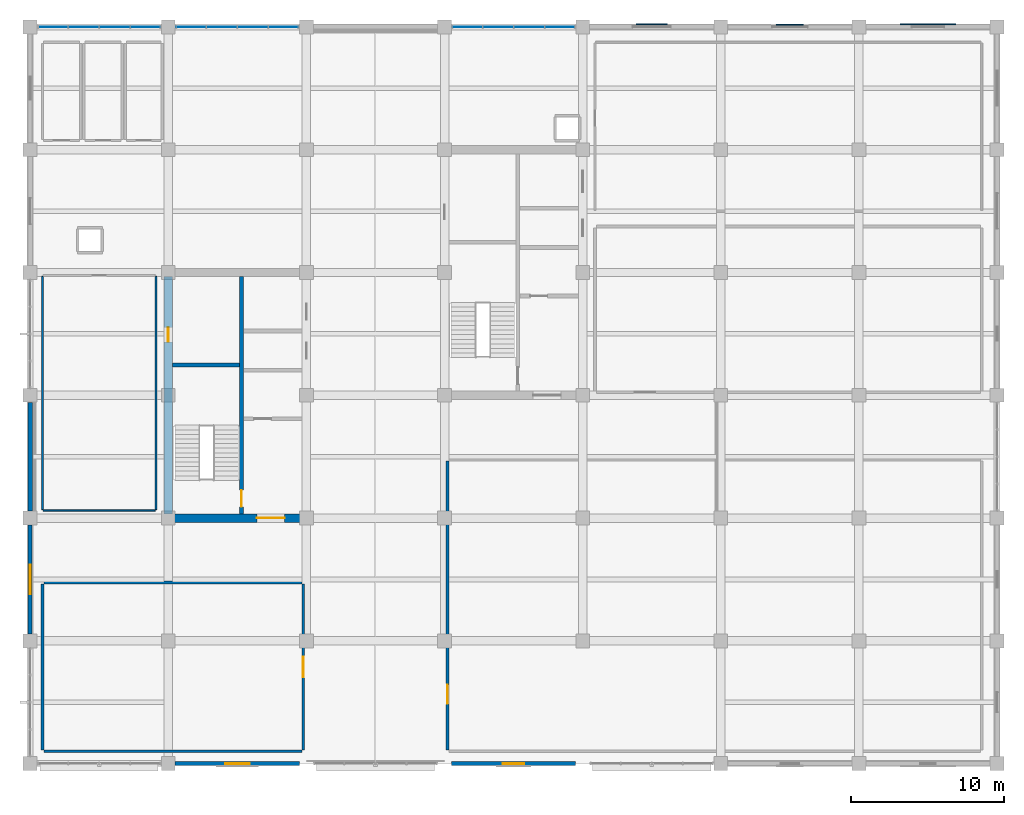
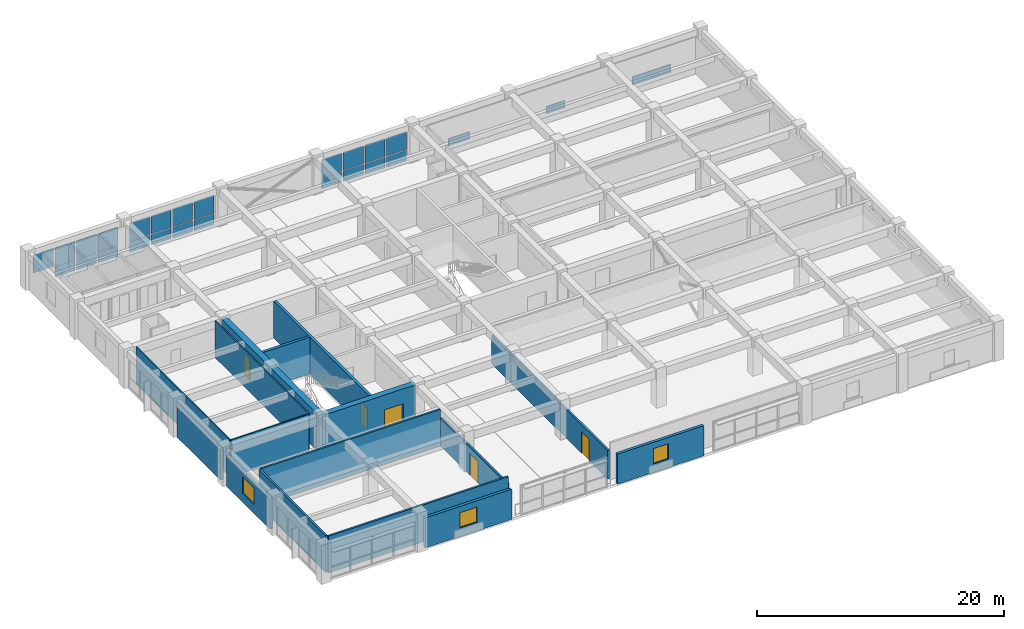
# One storey, part 12 of 16: 26 plates, 16 walls, 5 doors, 3 windows, 8 openings, 3 elements without a shape of their own.
"""IFC4 building model written with IfcOpenShell, lengths in metres."""

from ifc_helpers import new_model, si_unit, direction, frame, frame_2d, origin, place, context, subcontext, project, spatial, rectangle, extrude, material, layer, layer_set, type_object, element, fill, aggregate, save


model = new_model("IFC4")

# Units and contexts
model_context = context("Model", 3, precision=1e-05, world=origin(), true_north=direction((0.0, 1.0)))
body_context = subcontext(model_context, "Body", "Model", "MODEL_VIEW")
ifc_project = project(units=[si_unit("LENGTHUNIT", "METRE"), si_unit("AREAUNIT", "SQUARE_METRE"), si_unit("VOLUMEUNIT", "CUBIC_METRE"), si_unit("PLANEANGLEUNIT", "RADIAN"), si_unit("MASSUNIT", "GRAM", prefix="KILO")], contexts=[model_context])

# Site, building, storey
site_placement = place(None, origin())
site = spatial("IfcSite", under=ifc_project, at=site_placement, CompositionType="ELEMENT")
building_placement = place(site_placement, origin())
building = spatial("IfcBuilding", under=site, at=building_placement, Name="Zaverband Oceanarium and Marine Research Institute", CompositionType="ELEMENT")
storey_placement = place(building_placement, frame((0.0, 0.0, 25.800048828125)))
storey = spatial("IfcBuildingStorey", under=building, at=storey_placement, Name="L06", CompositionType="ELEMENT", Elevation=25.800048828125)

# Curtain wall, plates
ifc_material_1 = material(Name="Thermally broken anodized aluminium and solar-control glass", Category="aluminium")
curtain_wall_type = type_object("IfcCurtainWallType", Name="CW-UNIT-1800", PredefinedType="NOTDEFINED", material=ifc_material_1)
curtain_wall_1_placement = place(storey_placement, origin())
curtain_wall_1 = element("IfcCurtainWall", 1, at=curtain_wall_1_placement, inside=storey, type_object=curtain_wall_type, Name="Unitised glazed curtain wall CW-079", PredefinedType="NOTDEFINED")
ifc_material_2 = material(Name="Low-E double-glazed solar-control glass", Category="glass")
ifc_layer_1 = layer(ifc_material_2, 0.033935546875, Name="Low-E double-glazed solar-control glass")
ifc_layer_set_1 = layer_set([ifc_layer_1], Name="Low-E double-glazed solar-control glass")
plate_type_1 = type_object("IfcPlateType", Name="CWP-1820x1043", PredefinedType="CURTAIN_PANEL", material=ifc_layer_set_1)
plate_1_placement = place(storey_placement, frame((11.5576171875, 112.0, 0.050048828125), z_axis=(0.0, 0.0, 1.0), x_axis=(1.0, 0.0, 0.0)))
plate_1 = element("IfcPlate", 2, at=plate_1_placement, type_object=plate_type_1, Name="Glazed curtain wall panel CWP-1820x1043", PredefinedType="CURTAIN_PANEL", context=body_context, shape_type="SweptSolid", body=[
    extrude(rectangle(XDim=1.8623046875, YDim=0.033935546875, at=frame_2d((0.93115234375, 0.0))), origin(), (0.0, 0.0, 1.0), 1.04296875),
])
plate_2_placement = place(storey_placement, frame((13.580078125, 112.0, 0.050048828125), z_axis=(0.0, 0.0, 1.0), x_axis=(1.0, 0.0, 0.0)))
plate_2 = element("IfcPlate", 3, at=plate_2_placement, type_object=plate_type_1, Name="Glazed curtain wall panel CWP-1820x1043", PredefinedType="CURTAIN_PANEL", context=body_context, shape_type="SweptSolid", body=[
    extrude(rectangle(XDim=1.8623046875, YDim=0.033935546875, at=frame_2d((0.93115234375, 0.0))), origin(), (0.0, 0.0, 1.0), 1.04296875),
])
plate_3_placement = place(storey_placement, frame((15.6025390625, 112.0, 0.050048828125), z_axis=(0.0, 0.0, 1.0), x_axis=(1.0, 0.0, 0.0)))
plate_3 = element("IfcPlate", 4, at=plate_3_placement, type_object=plate_type_1, Name="Glazed curtain wall panel CWP-1820x1043", PredefinedType="CURTAIN_PANEL", context=body_context, shape_type="SweptSolid", body=[
    extrude(rectangle(XDim=1.862548828125, YDim=0.033935546875, at=frame_2d((0.93115234375, 0.0))), origin(), (0.0, 0.0, 1.0), 1.04296875),
])

curtain_wall_2_placement = place(storey_placement, origin())
curtain_wall_2 = element("IfcCurtainWall", 5, at=curtain_wall_2_placement, inside=storey, type_object=curtain_wall_type, Name="Unitised glazed curtain wall CW-080", PredefinedType="NOTDEFINED")
plate_4_placement = place(storey_placement, frame((18.534912109375, 112.0, 0.050048828125), z_axis=(0.0, 0.0, 1.0), x_axis=(1.0, 0.0, 0.0)))
plate_4 = element("IfcPlate", 6, at=plate_4_placement, type_object=plate_type_1, Name="Glazed curtain wall panel CWP-1820x1043", PredefinedType="CURTAIN_PANEL", context=body_context, shape_type="SweptSolid", body=[
    extrude(rectangle(XDim=1.862548828125, YDim=0.033935546875, at=frame_2d((0.93115234375, 0.0))), origin(), (0.0, 0.0, 1.0), 1.04296875),
])
plate_5_placement = place(storey_placement, frame((20.5576171875, 112.0, 0.050048828125), z_axis=(0.0, 0.0, 1.0), x_axis=(1.0, 0.0, 0.0)))
plate_5 = element("IfcPlate", 7, at=plate_5_placement, type_object=plate_type_1, Name="Glazed curtain wall panel CWP-1820x1043", PredefinedType="CURTAIN_PANEL", context=body_context, shape_type="SweptSolid", body=[
    extrude(rectangle(XDim=1.8623046875, YDim=0.033935546875, at=frame_2d((0.93115234375, 0.0))), origin(), (0.0, 0.0, 1.0), 1.04296875),
])
plate_6_placement = place(storey_placement, frame((22.580078125, 112.0, 0.050048828125), z_axis=(0.0, 0.0, 1.0), x_axis=(1.0, 0.0, 0.0)))
plate_6 = element("IfcPlate", 8, at=plate_6_placement, type_object=plate_type_1, Name="Glazed curtain wall panel CWP-1820x1043", PredefinedType="CURTAIN_PANEL", context=body_context, shape_type="SweptSolid", body=[
    extrude(rectangle(XDim=1.8623046875, YDim=0.033935546875, at=frame_2d((0.93115234375, 0.0))), origin(), (0.0, 0.0, 1.0), 1.04296875),
])
plate_7_placement = place(storey_placement, frame((24.6025390625, 112.0, 0.050048828125), z_axis=(0.0, 0.0, 1.0), x_axis=(1.0, 0.0, 0.0)))
plate_7 = element("IfcPlate", 9, at=plate_7_placement, type_object=plate_type_1, Name="Glazed curtain wall panel CWP-1820x1043", PredefinedType="CURTAIN_PANEL", context=body_context, shape_type="SweptSolid", body=[
    extrude(rectangle(XDim=1.862548828125, YDim=0.033935546875, at=frame_2d((0.93115234375, 0.0))), origin(), (0.0, 0.0, 1.0), 1.04296875),
])

curtain_wall_3_placement = place(storey_placement, origin())
curtain_wall_3 = element("IfcCurtainWall", 10, at=curtain_wall_3_placement, inside=storey, type_object=curtain_wall_type, Name="Unitised glazed curtain wall CW-081", PredefinedType="NOTDEFINED")
plate_8_placement = place(storey_placement, frame((36.534912109375, 112.0, 0.050048828125), z_axis=(0.0, 0.0, 1.0), x_axis=(1.0, 0.0, 0.0)))
plate_8 = element("IfcPlate", 11, at=plate_8_placement, type_object=plate_type_1, Name="Glazed curtain wall panel CWP-1820x1043", PredefinedType="CURTAIN_PANEL", context=body_context, shape_type="SweptSolid", body=[
    extrude(rectangle(XDim=1.862548828125, YDim=0.033935546875, at=frame_2d((0.93115234375, 0.0))), origin(), (0.0, 0.0, 1.0), 1.04296875),
])
plate_9_placement = place(storey_placement, frame((38.5576171875, 112.0, 0.050048828125), z_axis=(0.0, 0.0, 1.0), x_axis=(1.0, 0.0, 0.0)))
plate_9 = element("IfcPlate", 12, at=plate_9_placement, type_object=plate_type_1, Name="Glazed curtain wall panel CWP-1820x1043", PredefinedType="CURTAIN_PANEL", context=body_context, shape_type="SweptSolid", body=[
    extrude(rectangle(XDim=1.8623046875, YDim=0.033935546875, at=frame_2d((0.93115234375, 0.0))), origin(), (0.0, 0.0, 1.0), 1.04296875),
])
plate_10_placement = place(storey_placement, frame((40.580078125, 112.0, 0.050048828125), z_axis=(0.0, 0.0, 1.0), x_axis=(1.0, 0.0, 0.0)))
plate_10 = element("IfcPlate", 13, at=plate_10_placement, type_object=plate_type_1, Name="Glazed curtain wall panel CWP-1820x1043", PredefinedType="CURTAIN_PANEL", context=body_context, shape_type="SweptSolid", body=[
    extrude(rectangle(XDim=1.8623046875, YDim=0.033935546875, at=frame_2d((0.93115234375, 0.0))), origin(), (0.0, 0.0, 1.0), 1.04296875),
])
plate_11_placement = place(storey_placement, frame((42.6025390625, 112.0, 0.050048828125), z_axis=(0.0, 0.0, 1.0), x_axis=(1.0, 0.0, 0.0)))
plate_11 = element("IfcPlate", 14, at=plate_11_placement, type_object=plate_type_1, Name="Glazed curtain wall panel CWP-1820x1043", PredefinedType="CURTAIN_PANEL", context=body_context, shape_type="SweptSolid", body=[
    extrude(rectangle(XDim=1.862548828125, YDim=0.033935546875, at=frame_2d((0.93115234375, 0.0))), origin(), (0.0, 0.0, 1.0), 1.04296875),
])

# Plate
ifc_layer_2 = layer(ifc_material_2, 0.035888671875, Name="Low-E double-glazed solar-control glass")
ifc_layer_set_2 = layer_set([ifc_layer_2], Name="Low-E double-glazed solar-control glass")
plate_type_2 = type_object("IfcPlateType", Name="CWP-1820x1777", PredefinedType="CURTAIN_PANEL", material=ifc_layer_set_2)
plate_12_placement = place(storey_placement, frame((9.534912109375, 112.0, 1.162841796875), z_axis=(0.0, 0.0, 1.0), x_axis=(1.0, 0.0, 0.0)))
plate_12 = element("IfcPlate", 15, at=plate_12_placement, type_object=plate_type_2, Name="Glazed curtain wall panel CWP-1820x1777", PredefinedType="CURTAIN_PANEL", context=body_context, shape_type="SweptSolid", body=[
    extrude(rectangle(XDim=1.862548828125, YDim=0.035888671875, at=frame_2d((0.93115234375, 0.0))), origin(), (0.0, 0.0, 1.0), 1.777099609375),
])

plate_13_placement = place(storey_placement, frame((11.5576171875, 112.0, 1.162841796875), z_axis=(0.0, 0.0, 1.0), x_axis=(1.0, 0.0, 0.0)))
plate_13 = element("IfcPlate", 16, at=plate_13_placement, type_object=plate_type_2, Name="Glazed curtain wall panel CWP-1820x1777", PredefinedType="CURTAIN_PANEL", context=body_context, shape_type="SweptSolid", body=[
    extrude(rectangle(XDim=1.8623046875, YDim=0.035888671875, at=frame_2d((0.93115234375, 0.0))), origin(), (0.0, 0.0, 1.0), 1.777099609375),
])

plate_14_placement = place(storey_placement, frame((13.580078125, 112.0, 1.162841796875), z_axis=(0.0, 0.0, 1.0), x_axis=(1.0, 0.0, 0.0)))
plate_14 = element("IfcPlate", 17, at=plate_14_placement, type_object=plate_type_2, Name="Glazed curtain wall panel CWP-1820x1777", PredefinedType="CURTAIN_PANEL", context=body_context, shape_type="SweptSolid", body=[
    extrude(rectangle(XDim=1.8623046875, YDim=0.035888671875, at=frame_2d((0.93115234375, 0.0))), origin(), (0.0, 0.0, 1.0), 1.777099609375),
])

plate_15_placement = place(storey_placement, frame((15.6025390625, 112.0, 1.162841796875), z_axis=(0.0, 0.0, 1.0), x_axis=(1.0, 0.0, 0.0)))
plate_15 = element("IfcPlate", 18, at=plate_15_placement, type_object=plate_type_2, Name="Glazed curtain wall panel CWP-1820x1777", PredefinedType="CURTAIN_PANEL", context=body_context, shape_type="SweptSolid", body=[
    extrude(rectangle(XDim=1.862548828125, YDim=0.035888671875, at=frame_2d((0.93115234375, 0.0))), origin(), (0.0, 0.0, 1.0), 1.777099609375),
])

aggregate(curtain_wall_1, [plate_12, plate_1, plate_13, plate_2, plate_14, plate_3, plate_15])

plate_16_placement = place(storey_placement, frame((18.534912109375, 112.0, 1.162841796875), z_axis=(0.0, 0.0, 1.0), x_axis=(1.0, 0.0, 0.0)))
plate_16 = element("IfcPlate", 19, at=plate_16_placement, type_object=plate_type_2, Name="Glazed curtain wall panel CWP-1820x1777", PredefinedType="CURTAIN_PANEL", context=body_context, shape_type="SweptSolid", body=[
    extrude(rectangle(XDim=1.862548828125, YDim=0.035888671875, at=frame_2d((0.93115234375, 0.0))), origin(), (0.0, 0.0, 1.0), 1.777099609375),
])

plate_17_placement = place(storey_placement, frame((20.5576171875, 112.0, 1.162841796875), z_axis=(0.0, 0.0, 1.0), x_axis=(1.0, 0.0, 0.0)))
plate_17 = element("IfcPlate", 20, at=plate_17_placement, type_object=plate_type_2, Name="Glazed curtain wall panel CWP-1820x1777", PredefinedType="CURTAIN_PANEL", context=body_context, shape_type="SweptSolid", body=[
    extrude(rectangle(XDim=1.8623046875, YDim=0.035888671875, at=frame_2d((0.93115234375, 0.0))), origin(), (0.0, 0.0, 1.0), 1.777099609375),
])

plate_18_placement = place(storey_placement, frame((22.580078125, 112.0, 1.162841796875), z_axis=(0.0, 0.0, 1.0), x_axis=(1.0, 0.0, 0.0)))
plate_18 = element("IfcPlate", 21, at=plate_18_placement, type_object=plate_type_2, Name="Glazed curtain wall panel CWP-1820x1777", PredefinedType="CURTAIN_PANEL", context=body_context, shape_type="SweptSolid", body=[
    extrude(rectangle(XDim=1.8623046875, YDim=0.035888671875, at=frame_2d((0.93115234375, 0.0))), origin(), (0.0, 0.0, 1.0), 1.777099609375),
])

plate_19_placement = place(storey_placement, frame((24.6025390625, 112.0, 1.162841796875), z_axis=(0.0, 0.0, 1.0), x_axis=(1.0, 0.0, 0.0)))
plate_19 = element("IfcPlate", 22, at=plate_19_placement, type_object=plate_type_2, Name="Glazed curtain wall panel CWP-1820x1777", PredefinedType="CURTAIN_PANEL", context=body_context, shape_type="SweptSolid", body=[
    extrude(rectangle(XDim=1.862548828125, YDim=0.035888671875, at=frame_2d((0.93115234375, 0.0))), origin(), (0.0, 0.0, 1.0), 1.777099609375),
])

aggregate(curtain_wall_2, [plate_4, plate_16, plate_5, plate_17, plate_6, plate_18, plate_7, plate_19])

plate_20_placement = place(storey_placement, frame((36.534912109375, 112.0, 1.162841796875), z_axis=(0.0, 0.0, 1.0), x_axis=(1.0, 0.0, 0.0)))
plate_20 = element("IfcPlate", 23, at=plate_20_placement, type_object=plate_type_2, Name="Glazed curtain wall panel CWP-1820x1777", PredefinedType="CURTAIN_PANEL", context=body_context, shape_type="SweptSolid", body=[
    extrude(rectangle(XDim=1.862548828125, YDim=0.035888671875, at=frame_2d((0.93115234375, 0.0))), origin(), (0.0, 0.0, 1.0), 1.777099609375),
])

plate_21_placement = place(storey_placement, frame((38.5576171875, 112.0, 1.162841796875), z_axis=(0.0, 0.0, 1.0), x_axis=(1.0, 0.0, 0.0)))
plate_21 = element("IfcPlate", 24, at=plate_21_placement, type_object=plate_type_2, Name="Glazed curtain wall panel CWP-1820x1777", PredefinedType="CURTAIN_PANEL", context=body_context, shape_type="SweptSolid", body=[
    extrude(rectangle(XDim=1.8623046875, YDim=0.035888671875, at=frame_2d((0.93115234375, 0.0))), origin(), (0.0, 0.0, 1.0), 1.777099609375),
])

plate_22_placement = place(storey_placement, frame((40.580078125, 112.0, 1.162841796875), z_axis=(0.0, 0.0, 1.0), x_axis=(1.0, 0.0, 0.0)))
plate_22 = element("IfcPlate", 25, at=plate_22_placement, type_object=plate_type_2, Name="Glazed curtain wall panel CWP-1820x1777", PredefinedType="CURTAIN_PANEL", context=body_context, shape_type="SweptSolid", body=[
    extrude(rectangle(XDim=1.8623046875, YDim=0.035888671875, at=frame_2d((0.93115234375, 0.0))), origin(), (0.0, 0.0, 1.0), 1.777099609375),
])

plate_23_placement = place(storey_placement, frame((42.6025390625, 112.0, 1.162841796875), z_axis=(0.0, 0.0, 1.0), x_axis=(1.0, 0.0, 0.0)))
plate_23 = element("IfcPlate", 26, at=plate_23_placement, type_object=plate_type_2, Name="Glazed curtain wall panel CWP-1820x1777", PredefinedType="CURTAIN_PANEL", context=body_context, shape_type="SweptSolid", body=[
    extrude(rectangle(XDim=1.862548828125, YDim=0.035888671875, at=frame_2d((0.93115234375, 0.0))), origin(), (0.0, 0.0, 1.0), 1.777099609375),
])

aggregate(curtain_wall_3, [plate_8, plate_20, plate_9, plate_21, plate_10, plate_22, plate_11, plate_23])

# Plates
ifc_material_3 = material(Name="Concrete C40/50 precast ochre", Category="concrete")
ifc_layer_3 = layer(ifc_material_3, 0.070068359375, Name="Concrete C40/50 precast ochre")
ifc_layer_set_3 = layer_set([ifc_layer_3], Name="Concrete C40/50 precast ochre")
plate_type_3 = type_object("IfcPlateType", Name="FRP-1750x700", PredefinedType="USERDEFINED", material=ifc_layer_set_3)
plate_24_placement = place(storey_placement, frame((57.625, 112.152587890625, 0.0), z_axis=(0.0, 0.0, 1.0), x_axis=(1.0, 0.0, 0.0)))
element("IfcPlate", 27, at=plate_24_placement, inside=storey, type_object=plate_type_3, Name="Geometric precast facade cladding panel FRP-1750x700", ObjectType="FLANGE_PLATE", PredefinedType="USERDEFINED", context=body_context, shape_type="SweptSolid", body=[
    extrude(rectangle(XDim=1.75, YDim=0.070068359375, at=frame_2d((0.875, 0.0))), origin(), (0.0, 0.0, 1.0), 0.699951171875),
])
ifc_layer_4 = layer(ifc_material_3, 0.070068359375, Name="Concrete C40/50 precast ochre")
ifc_layer_set_4 = layer_set([ifc_layer_4], Name="Concrete C40/50 precast ochre")
plate_type_4 = type_object("IfcPlateType", Name="FRP-2000x720", PredefinedType="USERDEFINED", material=ifc_layer_set_4)
plate_25_placement = place(storey_placement, frame((48.5, 112.1650390625, 0.0), z_axis=(0.0, 0.0, 1.0), x_axis=(1.0, 0.0, 0.0)))
element("IfcPlate", 28, at=plate_25_placement, inside=storey, type_object=plate_type_4, Name="Geometric precast facade cladding panel FRP-2000x720", ObjectType="FLANGE_PLATE", PredefinedType="USERDEFINED", context=body_context, shape_type="SweptSolid", body=[
    extrude(rectangle(XDim=2.0, YDim=0.070068359375, at=frame_2d((1.0, 0.0))), origin(), (0.0, 0.0, 1.0), 0.719970703125),
])
ifc_layer_5 = layer(ifc_material_3, 0.0849609375, Name="Concrete C40/50 precast ochre")
ifc_layer_set_5 = layer_set([ifc_layer_5], Name="Concrete C40/50 precast ochre")
plate_type_5 = type_object("IfcPlateType", Name="FRP-3600x800", PredefinedType="USERDEFINED", material=ifc_layer_set_5)
plate_26_placement = place(storey_placement, frame((65.699951171875, 112.172607421875, 0.0), z_axis=(0.0, 0.0, 1.0), x_axis=(1.0, 0.0, 0.0)))
element("IfcPlate", 29, at=plate_26_placement, inside=storey, type_object=plate_type_5, Name="Geometric precast facade cladding panel FRP-3600x800", ObjectType="FLANGE_PLATE", PredefinedType="USERDEFINED", context=body_context, shape_type="SweptSolid", body=[
    extrude(rectangle(XDim=3.60009765625, YDim=0.0849609375, at=frame_2d((1.800048828125, 0.0))), origin(), (0.0, 0.0, 1.0), 0.800048828125),
])

# Wall, opening, door
ifc_material_4 = material(Name="Concrete C50/60", Category="concrete")
ifc_layer_6 = layer(ifc_material_4, 0.550048828125, Name="Concrete C50/60")
ifc_layer_set_6 = layer_set([ifc_layer_6], Name="Concrete C50/60")
wall_type_1 = type_object("IfcWallType", Name="CW-01", PredefinedType="SHEAR", material=ifc_layer_set_6)
wall_1_placement = place(storey_placement, frame((18.27490234375, 80.0, 0.0), z_axis=(0.0, 0.0, 1.0), x_axis=(1.0, 0.0, 0.0)))
wall_1 = element("IfcWall", 30, at=wall_1_placement, inside=storey, type_object=wall_type_1, Name="Structural shear wall CW-01", PredefinedType="SHEAR", context=body_context, shape_type="SweptSolid", body=[
    extrude(rectangle(XDim=8.4501953125, YDim=0.550048828125, at=frame_2d((4.22509765625, 0.0))), origin(), (0.0, 0.0, 1.0), 3.64990234375),
])
opening_1_placement = place(wall_1_placement, frame((5.5, 0.0, 0.0)))
opening_1 = element("IfcOpeningElement", 31, at=opening_1_placement, cuts=wall_1, Name="Opening FD-02", PredefinedType="OPENING", context=body_context, shape_type="SweptSolid", body=[
    extrude(rectangle(XDim=1.800048828125, YDim=2.179931640625, at=frame_2d((0.89990234375, 1.08984375))), frame((0.0, 0.287109375, 0.0), z_axis=(0.0, -1.0, 0.0), x_axis=(1.0, 0.0, 0.0)), (0.0, 0.0, 1.0), 0.573974609375),
])
ifc_material_5 = material(Name="Steel S355", Category="steel")
door_type_1 = type_object("IfcDoorType", Name="FD-02", OperationType="DOUBLE_DOOR_SINGLE_SWING", PredefinedType="DOOR", material=ifc_material_5)
door_1_placement = place(opening_1_placement, origin())
door_1 = element("IfcDoor", 32, at=door_1_placement, inside=storey, type_object=door_type_1, Name="Protected lobby double fire door FD-02", OperationType="DOUBLE_DOOR_SINGLE_SWING", OverallHeight=2.179931640625, OverallWidth=1.800048828125, PredefinedType="DOOR", context=body_context, shape_type="SweptSolid", body=[
    extrude(rectangle(XDim=1.800048828125, YDim=2.179931640625, at=frame_2d((0.89990234375, 1.08984375))), frame((0.0, 0.02490234375, 0.0), z_axis=(0.0, -1.0, 0.0), x_axis=(1.0, 0.0, 0.0)), (0.0, 0.0, 1.0), 0.050048828125),
])
fill(opening_1, door_1)

wall_2_placement = place(storey_placement, frame((18.0, 80.27490234375, 0.0), z_axis=(0.0, 0.0, 1.0), x_axis=(0.0, 1.0, 0.0)))
wall_2 = element("IfcWall", 33, at=wall_2_placement, inside=storey, type_object=wall_type_1, Name="Structural shear wall CW-01", PredefinedType="SHEAR", context=body_context, shape_type="SweptSolid", body=[
    extrude(rectangle(XDim=15.4501953125, YDim=0.550048828125, at=frame_2d((7.72509765625, 0.0))), origin(), (0.0, 0.0, 1.0), 3.64990234375),
])
opening_2_placement = place(wall_2_placement, frame((11.199951171875, 0.0, 0.0)))
opening_2 = element("IfcOpeningElement", 34, at=opening_2_placement, cuts=wall_2, Name="Opening FD-03", PredefinedType="OPENING", context=body_context, shape_type="SweptSolid", body=[
    extrude(rectangle(XDim=0.949951171875, YDim=2.10009765625, at=frame_2d((0.47509765625, 1.050048828125))), frame((0.0, 0.287109375, 0.0), z_axis=(0.0, -1.0, 0.0), x_axis=(1.0, 0.0, 0.0)), (0.0, 0.0, 1.0), 0.573974609375),
])
door_type_2 = type_object("IfcDoorType", Name="FD-03", OperationType="NOTDEFINED", PredefinedType="DOOR", material=ifc_material_5)
door_2_placement = place(opening_2_placement, origin())
door_2 = element("IfcDoor", 35, at=door_2_placement, inside=storey, type_object=door_type_2, Name="Service riser access fire door FD-03", OperationType="SINGLE_SWING_RIGHT", OverallHeight=2.10009765625, OverallWidth=0.949951171875, PredefinedType="DOOR", context=body_context, shape_type="SweptSolid", body=[
    extrude(rectangle(XDim=0.949951171875, YDim=2.10009765625, at=frame_2d((0.47509765625, 1.050048828125))), frame((0.0, 0.02490234375, 0.0), z_axis=(0.0, -1.0, 0.0), x_axis=(1.0, 0.0, 0.0)), (0.0, 0.0, 1.0), 0.050048828125),
])
fill(opening_2, door_2)

# Wall, opening, window
ifc_material_6 = material(Name="Concrete C40/50 precast", Category="concrete")
ifc_layer_7 = layer(ifc_material_6, 0.264892578125, Name="Concrete C40/50 precast")
ifc_layer_set_7 = layer_set([ifc_layer_7], Name="Concrete C40/50 precast")
wall_type_2 = type_object("IfcWallType", Name="EW-265", PredefinedType="STANDARD", material=ifc_layer_set_7)
wall_3_placement = place(storey_placement, frame((18.455078125, 64.0, 0.0), z_axis=(0.0, 0.0, 1.0), x_axis=(1.0, 0.0, 0.0)))
wall_3 = element("IfcWall", 36, at=wall_3_placement, inside=storey, type_object=wall_type_2, Name="Exterior infill wall EW-265", PredefinedType="STANDARD", context=body_context, shape_type="SweptSolid", body=[
    extrude(rectangle(XDim=8.08984375, YDim=0.264892578125, at=frame_2d((4.044921875, 0.0))), origin(), (0.0, 0.0, 1.0), 2.97998046875),
])
opening_3_placement = place(wall_3_placement, frame((3.2451171875, 0.0, 0.85009765625)))
opening_3 = element("IfcOpeningElement", 37, at=opening_3_placement, cuts=wall_3, Name="Opening WN-1600x1500", PredefinedType="OPENING", context=body_context, shape_type="SweptSolid", body=[
    extrude(rectangle(XDim=1.60009765625, YDim=1.5, at=frame_2d((0.800048828125, 0.75))), frame((0.0, 0.14453125, 0.0), z_axis=(0.0, -1.0, 0.0), x_axis=(1.0, 0.0, 0.0)), (0.0, 0.0, 1.0), 0.288818359375),
])
window_type_1 = type_object("IfcWindowType", Name="WN-1600x1500", PartitioningType="SINGLE_PANEL", PredefinedType="WINDOW", material=ifc_material_1)
window_1_placement = place(opening_3_placement, origin())
window_1 = element("IfcWindow", 38, at=window_1_placement, inside=storey, type_object=window_type_1, Name="Fixed / casement exterior window WN-1600x1500", OverallHeight=1.5, OverallWidth=1.60009765625, PartitioningType="SINGLE_PANEL", PredefinedType="WINDOW", context=body_context, shape_type="SweptSolid", body=[
    extrude(rectangle(XDim=1.60009765625, YDim=1.5, at=frame_2d((0.800048828125, 0.75))), frame((0.0, 0.030029296875, 0.0), z_axis=(0.0, -1.0, 0.0), x_axis=(1.0, 0.0, 0.0)), (0.0, 0.0, 1.0), 0.06005859375),
])
fill(opening_3, window_1)

wall_4_placement = place(storey_placement, frame((36.455078125, 64.0, 0.0), z_axis=(0.0, 0.0, 1.0), x_axis=(1.0, 0.0, 0.0)))
wall_4 = element("IfcWall", 39, at=wall_4_placement, inside=storey, type_object=wall_type_2, Name="Exterior infill wall EW-265", PredefinedType="STANDARD", context=body_context, shape_type="SweptSolid", body=[
    extrude(rectangle(XDim=8.08984375, YDim=0.264892578125, at=frame_2d((4.044921875, 0.0))), origin(), (0.0, 0.0, 1.0), 2.97998046875),
])
opening_4_placement = place(wall_4_placement, frame((3.344970703125, 0.0, 0.85009765625)))
opening_4 = element("IfcOpeningElement", 40, at=opening_4_placement, cuts=wall_4, Name="Opening WN-1400x1500", PredefinedType="OPENING", context=body_context, shape_type="SweptSolid", body=[
    extrude(rectangle(XDim=1.39990234375, YDim=1.5, at=frame_2d((0.699951171875, 0.75))), frame((0.0, 0.14453125, 0.0), z_axis=(0.0, -1.0, 0.0), x_axis=(1.0, 0.0, 0.0)), (0.0, 0.0, 1.0), 0.288818359375),
])
window_type_2 = type_object("IfcWindowType", Name="WN-1400x1500", PartitioningType="SINGLE_PANEL", PredefinedType="WINDOW", material=ifc_material_1)
window_2_placement = place(opening_4_placement, origin())
window_2 = element("IfcWindow", 41, at=window_2_placement, inside=storey, type_object=window_type_2, Name="Fixed / casement exterior window WN-1400x1500", OverallHeight=1.5, OverallWidth=1.39990234375, PartitioningType="SINGLE_PANEL", PredefinedType="WINDOW", context=body_context, shape_type="SweptSolid", body=[
    extrude(rectangle(XDim=1.39990234375, YDim=1.5, at=frame_2d((0.699951171875, 0.75))), frame((0.0, 0.030029296875, 0.0), z_axis=(0.0, -1.0, 0.0), x_axis=(1.0, 0.0, 0.0)), (0.0, 0.0, 1.0), 0.06005859375),
])
fill(opening_4, window_2)

wall_5_placement = place(storey_placement, frame((9.0, 72.455078125, 0.0), z_axis=(0.0, 0.0, 1.0), x_axis=(0.0, 1.0, 0.0)))
wall_5 = element("IfcWall", 42, at=wall_5_placement, inside=storey, type_object=wall_type_2, Name="Exterior infill wall EW-265", PredefinedType="STANDARD", context=body_context, shape_type="SweptSolid", body=[
    extrude(rectangle(XDim=7.08984375, YDim=0.264892578125, at=frame_2d((3.544921875, 0.0))), origin(), (0.0, 0.0, 1.0), 2.97998046875),
])
opening_5_placement = place(wall_5_placement, frame((2.594970703125, 0.0, 0.85009765625)))
opening_5 = element("IfcOpeningElement", 43, at=opening_5_placement, cuts=wall_5, Name="Opening WN-1900x1650", PredefinedType="OPENING", context=body_context, shape_type="SweptSolid", body=[
    extrude(rectangle(XDim=1.89990234375, YDim=1.64990234375, at=frame_2d((0.949951171875, 0.824951171875))), frame((0.0, 0.14453125, 0.0), z_axis=(0.0, -1.0, 0.0), x_axis=(1.0, 0.0, 0.0)), (0.0, 0.0, 1.0), 0.288818359375),
])
window_type_3 = type_object("IfcWindowType", Name="WN-1900x1650", PartitioningType="SINGLE_PANEL", PredefinedType="WINDOW", material=ifc_material_1)
window_3_placement = place(opening_5_placement, origin())
window_3 = element("IfcWindow", 44, at=window_3_placement, inside=storey, type_object=window_type_3, Name="Fixed / casement exterior window WN-1900x1650", OverallHeight=1.64990234375, OverallWidth=1.89990234375, PartitioningType="SINGLE_PANEL", PredefinedType="WINDOW", context=body_context, shape_type="SweptSolid", body=[
    extrude(rectangle(XDim=1.89990234375, YDim=1.64990234375, at=frame_2d((0.949951171875, 0.824951171875))), frame((0.0, 0.030029296875, 0.0), z_axis=(0.0, -1.0, 0.0), x_axis=(1.0, 0.0, 0.0)), (0.0, 0.0, 1.0), 0.06005859375),
])
fill(opening_5, window_3)

# Walls
ifc_layer_8 = layer(ifc_material_6, 0.2900390625, Name="Concrete C40/50 precast")
ifc_layer_set_8 = layer_set([ifc_layer_8], Name="Concrete C40/50 precast")
wall_type_3 = type_object("IfcWallType", Name="EW-290", PredefinedType="STANDARD", material=ifc_layer_set_8)
wall_6_placement = place(storey_placement, frame((9.0, 80.455078125, 0.0), z_axis=(0.0, 0.0, 1.0), x_axis=(0.0, 1.0, 0.0)))
element("IfcWall", 45, at=wall_6_placement, inside=storey, type_object=wall_type_3, Name="Exterior infill wall EW-290", PredefinedType="STANDARD", context=body_context, shape_type="SweptSolid", body=[
    extrude(rectangle(XDim=7.08984375, YDim=0.2900390625, at=frame_2d((3.544921875, 0.0))), origin(), (0.0, 0.0, 1.0), 2.97998046875),
])
ifc_material_7 = material(Name="Store room fire-lined stud partition")
ifc_layer_9 = layer(ifc_material_7, 0.110107421875, Name="Store room fire-lined stud partition")
ifc_layer_set_9 = layer_set([ifc_layer_9], Name="Store room fire-lined stud partition")
wall_type_4 = type_object("IfcWallType", Name="PT-110-ST", PredefinedType="PARTITIONING", material=ifc_layer_set_9)
wall_7_placement = place(storey_placement, frame((9.85498046875, 80.5, 0.0), z_axis=(0.0, 0.0, 1.0), x_axis=(1.0, 0.0, 0.0)))
element("IfcWall", 46, at=wall_7_placement, inside=storey, type_object=wall_type_4, Name="Internal partition PT-110-ST", PredefinedType="PARTITIONING", context=body_context, shape_type="SweptSolid", body=[
    extrude(rectangle(XDim=7.2900390625, YDim=0.110107421875, at=frame_2d((3.64501953125, 0.0))), origin(), (0.0, 0.0, 1.0), 3.64990234375),
])
for number, where, z_axis, x_axis, name in (
    (47, (9.800048828125, 80.554931640625, 0.0), (0.0, 0.0, 1.0), (0.0, 1.0, 0.0), "Internal partition PT-110-ST"),
    (48, (17.199951171875, 80.554931640625, 0.0), (0.0, 0.0, 1.0), (0.0, 1.0, 0.0), "Internal partition PT-110-ST"),
):
    element("IfcWall", number, at=place(storey_placement, frame(where, z_axis=z_axis, x_axis=x_axis)), inside=storey, type_object=wall_type_4, Name=name, PredefinedType="PARTITIONING", context=body_context, shape_type="SweptSolid", body=[
        extrude(rectangle(XDim=15.190185546875, YDim=0.110107421875, at=frame_2d((7.59521484375, 0.0))), origin(), (0.0, 0.0, 1.0), 3.64990234375),
    ])
ifc_material_8 = material(Name="Moisture-resistant laboratory blockwork", Category="masonry")
ifc_layer_10 = layer(ifc_material_8, 0.179931640625, Name="Moisture-resistant laboratory blockwork")
ifc_layer_set_10 = layer_set([ifc_layer_10], Name="Moisture-resistant laboratory blockwork")
wall_type_5 = type_object("IfcWallType", Name="PT-180-LB", PredefinedType="PARTITIONING", material=ifc_layer_set_10)
for number, where, z_axis, x_axis, name in (
    (49, (9.889892578125, 64.800048828125, 0.0), (0.0, 0.0, 1.0), (1.0, 0.0, 0.0), "Internal partition PT-180-LB"),
    (50, (9.889892578125, 75.800048828125, 0.0), (0.0, 0.0, 1.0), (1.0, 0.0, 0.0), "Internal partition PT-180-LB"),
):
    element("IfcWall", number, at=place(storey_placement, frame(where, z_axis=z_axis, x_axis=x_axis)), inside=storey, type_object=wall_type_5, Name=name, PredefinedType="PARTITIONING", context=body_context, shape_type="SweptSolid", body=[
        extrude(rectangle(XDim=16.820068359375, YDim=0.179931640625, at=frame_2d((8.41015625, 0.0))), origin(), (0.0, 0.0, 1.0), 3.64990234375),
    ])
wall_8_placement = place(storey_placement, frame((9.800048828125, 64.889892578125, 0.0), z_axis=(0.0, 0.0, 1.0), x_axis=(0.0, 1.0, 0.0)))
element("IfcWall", 51, at=wall_8_placement, inside=storey, type_object=wall_type_5, Name="Internal partition PT-180-LB", PredefinedType="PARTITIONING", context=body_context, shape_type="SweptSolid", body=[
    extrude(rectangle(XDim=10.820068359375, YDim=0.179931640625, at=frame_2d((5.41015625, 0.0))), origin(), (0.0, 0.0, 1.0), 3.64990234375),
])

# Wall, opening, door
wall_9_placement = place(storey_placement, frame((26.800048828125, 64.889892578125, 0.0), z_axis=(0.0, 0.0, 1.0), x_axis=(0.0, 1.0, 0.0)))
wall_9 = element("IfcWall", 52, at=wall_9_placement, inside=storey, type_object=wall_type_5, Name="Internal partition PT-180-LB", PredefinedType="PARTITIONING", context=body_context, shape_type="SweptSolid", body=[
    extrude(rectangle(XDim=10.820068359375, YDim=0.179931640625, at=frame_2d((5.41015625, 0.0))), origin(), (0.0, 0.0, 1.0), 2.849853515625),
])
opening_6_placement = place(wall_9_placement, frame((4.735107421875, 0.0, 0.0)))
opening_6 = element("IfcOpeningElement", 53, at=opening_6_placement, cuts=wall_9, Name="Opening ID-1350x2140", PredefinedType="OPENING", context=body_context, shape_type="SweptSolid", body=[
    extrude(rectangle(XDim=1.35009765625, YDim=2.139892578125, at=frame_2d((0.675048828125, 1.06982421875))), frame((0.0, 0.10205078125, 0.0), z_axis=(0.0, -1.0, 0.0), x_axis=(1.0, 0.0, 0.0)), (0.0, 0.0, 1.0), 0.203857421875),
])
ifc_material_9 = material(Name="Hardwood-veneered acoustic timber", Category="wood")
door_type_3 = type_object("IfcDoorType", Name="ID-1350x2140", OperationType="NOTDEFINED", PredefinedType="DOOR", material=ifc_material_9)
door_3_placement = place(opening_6_placement, origin())
door_3 = element("IfcDoor", 54, at=door_3_placement, inside=storey, type_object=door_type_3, Name="Oceanography laboratory equipment door ID-1350x2140", OperationType="SINGLE_SWING_LEFT", OverallHeight=2.139892578125, OverallWidth=1.35009765625, PredefinedType="DOOR", context=body_context, shape_type="SweptSolid", body=[
    extrude(rectangle(XDim=1.35009765625, YDim=2.139892578125, at=frame_2d((0.675048828125, 1.06982421875))), frame((0.0, 0.02490234375, 0.0), z_axis=(0.0, -1.0, 0.0), x_axis=(1.0, 0.0, 0.0)), (0.0, 0.0, 1.0), 0.050048828125),
])
fill(opening_6, door_3)

wall_10_placement = place(storey_placement, frame((36.199951171875, 64.889892578125, 0.0), z_axis=(0.0, 0.0, 1.0), x_axis=(0.0, 1.0, 0.0)))
wall_10 = element("IfcWall", 55, at=wall_10_placement, inside=storey, type_object=wall_type_5, Name="Internal partition PT-180-LB", PredefinedType="PARTITIONING", context=body_context, shape_type="SweptSolid", body=[
    extrude(rectangle(XDim=18.820068359375, YDim=0.179931640625, at=frame_2d((9.41015625, 0.0))), origin(), (0.0, 0.0, 1.0), 2.849853515625),
])
opening_7_placement = place(wall_10_placement, frame((3.0, 0.0, 0.0)))
opening_7 = element("IfcOpeningElement", 56, at=opening_7_placement, cuts=wall_10, Name="Opening ID-1250x2120", PredefinedType="OPENING", context=body_context, shape_type="SweptSolid", body=[
    extrude(rectangle(XDim=1.25, YDim=2.1201171875, at=frame_2d((0.625, 1.06005859375))), frame((0.0, 0.10205078125, 0.0), z_axis=(0.0, -1.0, 0.0), x_axis=(1.0, 0.0, 0.0)), (0.0, 0.0, 1.0), 0.203857421875),
])
door_type_4 = type_object("IfcDoorType", Name="ID-1250x2120", OperationType="NOTDEFINED", PredefinedType="DOOR", material=ifc_material_9)
door_4_placement = place(opening_7_placement, origin())
door_4 = element("IfcDoor", 57, at=door_4_placement, inside=storey, type_object=door_type_4, Name="Classroom entrance door ID-1250x2120", OperationType="SINGLE_SWING_RIGHT", OverallHeight=2.1201171875, OverallWidth=1.25, PredefinedType="DOOR", context=body_context, shape_type="SweptSolid", body=[
    extrude(rectangle(XDim=1.25, YDim=2.1201171875, at=frame_2d((0.625, 1.06005859375))), frame((0.0, 0.02490234375, 0.0), z_axis=(0.0, -1.0, 0.0), x_axis=(1.0, 0.0, 0.0)), (0.0, 0.0, 1.0), 0.050048828125),
])
fill(opening_7, door_4)

ifc_layer_11 = layer(ifc_material_4, 0.25, Name="Concrete C50/60")
ifc_layer_set_11 = layer_set([ifc_layer_11], Name="Concrete C50/60")
wall_type_6 = type_object("IfcWallType", Name="PW-CORE-250", PredefinedType="SOLIDWALL", material=ifc_layer_set_11)
wall_11_placement = place(storey_placement, frame((22.77490234375, 80.27490234375, 0.0), z_axis=(0.0, 0.0, 1.0), x_axis=(0.0, 1.0, 0.0)))
wall_11 = element("IfcWall", 58, at=wall_11_placement, inside=storey, type_object=wall_type_6, Name="Structural concrete wall PW-CORE-250", PredefinedType="SOLIDWALL", context=body_context, shape_type="SweptSolid", body=[
    extrude(rectangle(XDim=15.4501953125, YDim=0.25, at=frame_2d((7.72509765625, 0.0))), origin(), (0.0, 0.0, 1.0), 3.64990234375),
])
opening_8_placement = place(wall_11_placement, frame((0.449951171875, 0.0, 0.0)))
opening_8 = element("IfcOpeningElement", 59, at=opening_8_placement, cuts=wall_11, Name="Opening FD-01", PredefinedType="OPENING", context=body_context, shape_type="SweptSolid", body=[
    extrude(rectangle(XDim=1.10009765625, YDim=2.14990234375, at=frame_2d((0.550048828125, 1.074951171875))), frame((0.0, 0.136962890625, 0.0), z_axis=(0.0, -1.0, 0.0), x_axis=(1.0, 0.0, 0.0)), (0.0, 0.0, 1.0), 0.27392578125),
])
door_type_5 = type_object("IfcDoorType", Name="FD-01", OperationType="NOTDEFINED", PredefinedType="DOOR", material=ifc_material_5)
door_5_placement = place(opening_8_placement, origin())
door_5 = element("IfcDoor", 60, at=door_5_placement, inside=storey, type_object=door_type_5, Name="Core stair / lobby fire door FD-01", OperationType="SINGLE_SWING_LEFT", OverallHeight=2.14990234375, OverallWidth=1.10009765625, PredefinedType="DOOR", context=body_context, shape_type="SweptSolid", body=[
    extrude(rectangle(XDim=1.10009765625, YDim=2.14990234375, at=frame_2d((0.550048828125, 1.074951171875))), frame((0.0, 0.02490234375, 0.0), z_axis=(0.0, -1.0, 0.0), x_axis=(1.0, 0.0, 0.0)), (0.0, 0.0, 1.0), 0.050048828125),
])
fill(opening_8, door_5)

# Wall
wall_12_placement = place(storey_placement, frame((18.27490234375, 89.97509765625, 0.0), z_axis=(0.0, 0.0, 1.0), x_axis=(1.0, 0.0, 0.0)))
element("IfcWall", 61, at=wall_12_placement, inside=storey, type_object=wall_type_6, Name="Structural concrete wall PW-CORE-250", PredefinedType="SOLIDWALL", context=body_context, shape_type="SweptSolid", body=[
    extrude(rectangle(XDim=4.3701171875, YDim=0.25, at=frame_2d((2.18505859375, 0.0))), origin(), (0.0, 0.0, 1.0), 3.64990234375),
])

save(model, "model.ifc")
